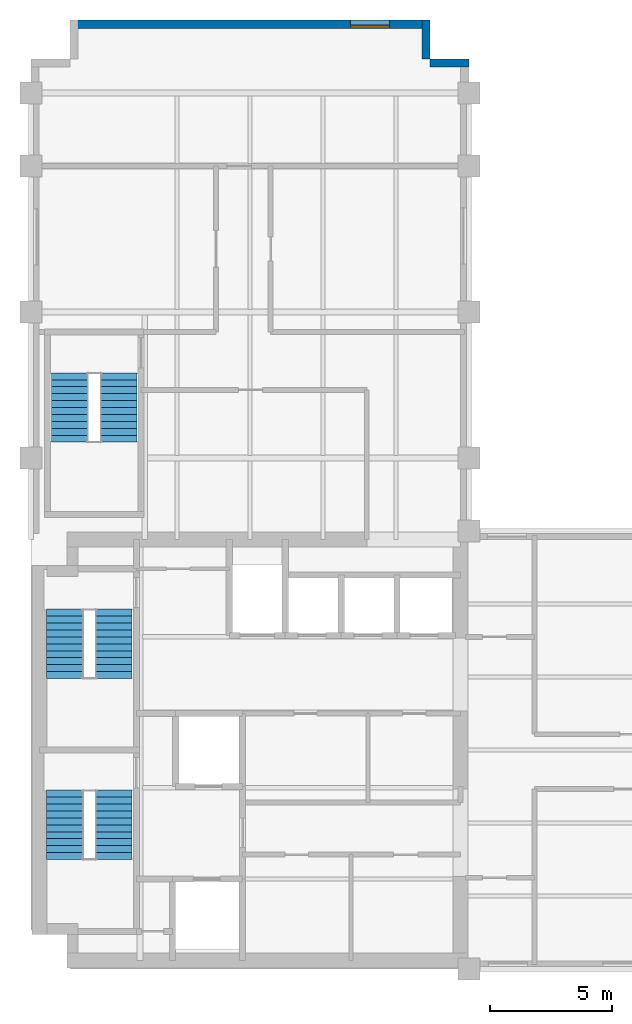
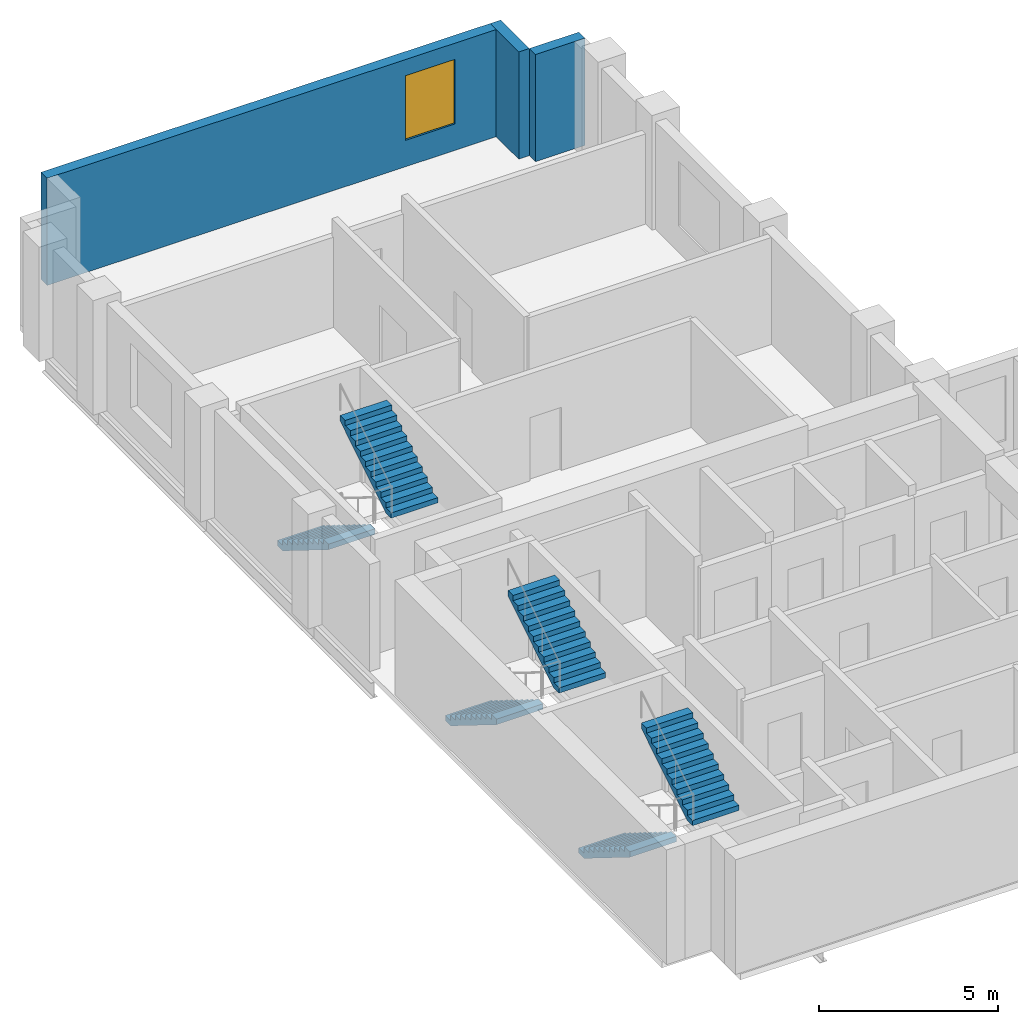
# One storey, part 5 of 6: 6 stair flights, 3 walls, 1 window, 1 opening, 3 elements without a shape of their own.
"""IFC4 building model written with IfcOpenShell, lengths in metres."""

from ifc_helpers import new_model, si_unit, direction, frame, frame_2d, origin, place, context, subcontext, project, spatial, polyline, rectangle, outline, extrude, material, layer, layer_set, type_object, element, fill, aggregate, save


model = new_model("IFC4")

# Units and contexts
model_context = context("Model", 3, precision=1e-05, world=origin(), true_north=direction((0.0, 1.0)))
body_context = subcontext(model_context, "Body", "Model", "MODEL_VIEW")
ifc_project = project(units=[si_unit("LENGTHUNIT", "METRE"), si_unit("AREAUNIT", "SQUARE_METRE"), si_unit("VOLUMEUNIT", "CUBIC_METRE"), si_unit("PLANEANGLEUNIT", "RADIAN"), si_unit("MASSUNIT", "GRAM", prefix="KILO")], contexts=[model_context])

# Site, building, storey
site_placement = place(None, origin())
site = spatial("IfcSite", under=ifc_project, at=site_placement, CompositionType="ELEMENT")
building_placement = place(site_placement, origin())
building = spatial("IfcBuilding", under=site, at=building_placement, Name="Mawjdan Bourse Tower", CompositionType="ELEMENT")
storey_placement = place(building_placement, frame((0.0, 0.0, 219.0)))
storey = spatial("IfcBuildingStorey", under=building, at=storey_placement, Name="L53", CompositionType="ELEMENT", Elevation=219.0)

# Walls
ifc_material_1 = material(Name="Brick Masonry Buff", Category="masonry")
ifc_layer = layer(ifc_material_1, 0.340087890625)
ifc_layer_set = layer_set([ifc_layer], Name="Brick Masonry Buff")
wall_type = type_object("IfcWallType", Name="WL-BRK-SPN-340", PredefinedType="STANDARD", material=ifc_layer_set)
for number, where, z_axis, x_axis, name in (
    (1, (24.0, 40.22998046875, 0.0), (0.0, 0.0, 1.0), (-1.0, 0.0, 0.0), "L53 Exterior Brick Wall 9"),
    (2, (22.22998046875, 40.39990234375, 0.0), (0.0, 0.0, 1.0), (0.0, 1.0, 0.0), "L53 Exterior Brick Wall 10"),
):
    element("IfcWall", number, at=place(storey_placement, frame(where, z_axis=z_axis, x_axis=x_axis)), inside=storey, type_object=wall_type, Name=name, PredefinedType="STANDARD", context=body_context, shape_type="SweptSolid", body=[
        extrude(rectangle(XDim=1.60009765625, YDim=0.340087890625, at=frame_2d((0.800048828125, 0.0))), origin(), (0.0, 0.0, 1.0), 3.64990234375),
    ])

# Wall, opening, window
wall_placement = place(storey_placement, frame((22.39990234375, 41.830078125, 0.0), z_axis=(0.0, 0.0, 1.0), x_axis=(-1.0, 0.0, 0.0)))
wall = element("IfcWall", 3, at=wall_placement, inside=storey, type_object=wall_type, Name="L53 Exterior Brick Wall 11", PredefinedType="STANDARD", context=body_context, shape_type="SweptSolid", body=[
    extrude(rectangle(XDim=14.7998046875, YDim=0.340087890625, at=frame_2d((7.39990234375, 0.0))), origin(), (0.0, 0.0, 1.0), 3.64990234375),
])
opening_placement = place(wall_placement, frame((1.666748046875, 0.0, 0.89990234375)))
opening = element("IfcOpeningElement", 4, at=opening_placement, cuts=wall, Name="Opening W-L53-08", PredefinedType="OPENING", context=body_context, shape_type="SweptSolid", body=[
    extrude(rectangle(XDim=1.60009765625, YDim=2.199951171875, at=frame_2d((0.800048828125, 1.10009765625))), frame((0.0, 0.18017578125, 0.0), z_axis=(0.0, -1.0, 0.0), x_axis=(1.0, 0.0, 0.0)), (0.0, 0.0, 1.0), 0.360107421875),
])
ifc_material_2 = material(Name="Solar-Control Clear Double Glazing", Category="glass")
window_type = type_object("IfcWindowType", Name="WN-Z3-1600", PartitioningType="SINGLE_PANEL", PredefinedType="WINDOW", material=ifc_material_2)
window_placement = place(opening_placement, origin())
window = element("IfcWindow", 5, at=window_placement, inside=storey, type_object=window_type, Name="L53 Deep-Set Masonry Window W-L53-08", OverallHeight=2.199951171875, OverallWidth=1.60009765625, PartitioningType="SINGLE_PANEL", PredefinedType="WINDOW", context=body_context, shape_type="SweptSolid", body=[
    extrude(rectangle(XDim=1.60009765625, YDim=2.199951171875, at=frame_2d((0.800048828125, 1.10009765625))), frame((0.0, 0.110107421875, 0.0), z_axis=(0.0, -1.0, 0.0), x_axis=(1.0, 0.0, 0.0)), (0.0, 0.0, 1.0), 0.06005859375),
])
fill(opening, window)

# Stair, stair flights
ifc_material_3 = material(Name="Concrete C50/60", Category="concrete")
stair_type = type_object("IfcStairType", Name="STR-CORE-1500", PredefinedType="HALF_TURN_STAIR", material=ifc_material_3)
stair_1_placement = place(storey_placement, origin())
stair_1 = element("IfcStair", 6, at=stair_1_placement, inside=storey, type_object=stair_type, Name="L53 Exit Stair 1 (Core South-West)", PredefinedType="HALF_TURN_STAIR")
stair_flight_type = type_object("IfcStairFlightType", Name="SFL-RC-1500", PredefinedType="STRAIGHT", material=ifc_material_3)
stair_flight_1_placement = place(storey_placement, frame((7.389892578125, 10.35009765625, 0.0), z_axis=(0.0, 0.0, 1.0), x_axis=(0.0, -1.0, 0.0)))
stair_flight_1 = element("IfcStairFlight", 7, at=stair_flight_1_placement, type_object=stair_flight_type, Name="ST1-L53 flight 1", NumberOfRisers=11, NumberOfTreads=10, PredefinedType="STRAIGHT", RiserHeight=0.177273, TreadLength=0.285, context=body_context, shape_type="SweptSolid", body=[
    extrude(outline(polyline([(0.0, 0.0), (0.0, 0.17724609375), (0.284912109375, 0.17724609375), (0.284912109375, 0.3544921875), (0.570068359375, 0.3544921875), (0.570068359375, 0.53173828125), (0.85498046875, 0.53173828125), (0.85498046875, 0.708984375), (1.139892578125, 0.708984375), (1.139892578125, 0.886474609375), (1.425048828125, 0.886474609375), (1.425048828125, 1.063720703125), (1.7099609375, 1.063720703125), (1.7099609375, 1.240966796875), (1.9951171875, 1.240966796875), (1.9951171875, 1.418212890625), (2.280029296875, 1.418212890625), (2.280029296875, 1.595458984375), (2.56494140625, 1.595458984375), (2.56494140625, 1.772705078125), (2.85009765625, 1.772705078125), (2.85009765625, 1.949951171875), (2.85009765625, 1.58447265625), (0.302734375, 0.0), (0.0, 0.0)])), frame((0.0, 0.75, 0.0), z_axis=(0.0, -1.0, 0.0), x_axis=(1.0, 0.0, 0.0)), (0.0, 0.0, 1.0), 1.5),
])
stair_flight_2_placement = place(storey_placement, frame((9.409912109375, 7.5, 1.949951171875), z_axis=(0.0, 0.0, 1.0), x_axis=(0.0, 1.0, 0.0)))
stair_flight_2 = element("IfcStairFlight", 8, at=stair_flight_2_placement, type_object=stair_flight_type, Name="ST1-L53 flight 2", NumberOfRisers=11, NumberOfTreads=10, PredefinedType="STRAIGHT", RiserHeight=0.177273, TreadLength=0.285, context=body_context, shape_type="SweptSolid", body=[
    extrude(outline(polyline([(0.0, 0.0), (0.0, 0.17724609375), (0.284912109375, 0.17724609375), (0.284912109375, 0.3544921875), (0.570068359375, 0.3544921875), (0.570068359375, 0.53173828125), (0.85498046875, 0.53173828125), (0.85498046875, 0.708984375), (1.139892578125, 0.708984375), (1.139892578125, 0.886474609375), (1.425048828125, 0.886474609375), (1.425048828125, 1.063720703125), (1.7099609375, 1.063720703125), (1.7099609375, 1.240966796875), (1.9951171875, 1.240966796875), (1.9951171875, 1.418212890625), (2.280029296875, 1.418212890625), (2.280029296875, 1.595458984375), (2.56494140625, 1.595458984375), (2.56494140625, 1.772705078125), (2.85009765625, 1.772705078125), (2.85009765625, 1.949951171875), (2.85009765625, 1.58447265625), (0.302734375, 0.0), (0.0, 0.0)])), frame((0.0, 0.75, 0.0), z_axis=(0.0, -1.0, 0.0), x_axis=(1.0, 0.0, 0.0)), (0.0, 0.0, 1.0), 1.5),
])
aggregate(stair_1, [stair_flight_1, stair_flight_2])

stair_2_placement = place(storey_placement, origin())
stair_2 = element("IfcStair", 9, at=stair_2_placement, inside=storey, type_object=stair_type, Name="L53 Exit Stair 2 (Core North-West)", PredefinedType="HALF_TURN_STAIR")
stair_flight_3_placement = place(storey_placement, frame((7.389892578125, 17.7900390625, 0.0), z_axis=(0.0, 0.0, 1.0), x_axis=(0.0, -1.0, 0.0)))
stair_flight_3 = element("IfcStairFlight", 10, at=stair_flight_3_placement, type_object=stair_flight_type, Name="ST2-L53 flight 1", NumberOfRisers=11, NumberOfTreads=10, PredefinedType="STRAIGHT", RiserHeight=0.177273, TreadLength=0.285, context=body_context, shape_type="SweptSolid", body=[
    extrude(outline(polyline([(0.0, 0.0), (0.0, 0.17724609375), (0.284912109375, 0.17724609375), (0.284912109375, 0.3544921875), (0.570068359375, 0.3544921875), (0.570068359375, 0.53173828125), (0.85498046875, 0.53173828125), (0.85498046875, 0.708984375), (1.139892578125, 0.708984375), (1.139892578125, 0.886474609375), (1.425048828125, 0.886474609375), (1.425048828125, 1.063720703125), (1.7099609375, 1.063720703125), (1.7099609375, 1.240966796875), (1.9951171875, 1.240966796875), (1.9951171875, 1.418212890625), (2.280029296875, 1.418212890625), (2.280029296875, 1.595458984375), (2.56494140625, 1.595458984375), (2.56494140625, 1.772705078125), (2.85009765625, 1.772705078125), (2.85009765625, 1.949951171875), (2.85009765625, 1.58447265625), (0.302734375, 0.0), (0.0, 0.0)])), frame((0.0, 0.75, 0.0), z_axis=(0.0, -1.0, 0.0), x_axis=(1.0, 0.0, 0.0)), (0.0, 0.0, 1.0), 1.5),
])
stair_flight_4_placement = place(storey_placement, frame((9.409912109375, 14.93994140625, 1.949951171875), z_axis=(0.0, 0.0, 1.0), x_axis=(0.0, 1.0, 0.0)))
stair_flight_4 = element("IfcStairFlight", 11, at=stair_flight_4_placement, type_object=stair_flight_type, Name="ST2-L53 flight 2", NumberOfRisers=11, NumberOfTreads=10, PredefinedType="STRAIGHT", RiserHeight=0.177273, TreadLength=0.285, context=body_context, shape_type="SweptSolid", body=[
    extrude(outline(polyline([(0.0, 0.0), (0.0, 0.17724609375), (0.284912109375, 0.17724609375), (0.284912109375, 0.3544921875), (0.570068359375, 0.3544921875), (0.570068359375, 0.53173828125), (0.85498046875, 0.53173828125), (0.85498046875, 0.708984375), (1.139892578125, 0.708984375), (1.139892578125, 0.886474609375), (1.425048828125, 0.886474609375), (1.425048828125, 1.063720703125), (1.7099609375, 1.063720703125), (1.7099609375, 1.240966796875), (1.9951171875, 1.240966796875), (1.9951171875, 1.418212890625), (2.280029296875, 1.418212890625), (2.280029296875, 1.595458984375), (2.56494140625, 1.595458984375), (2.56494140625, 1.772705078125), (2.85009765625, 1.772705078125), (2.85009765625, 1.949951171875), (2.85009765625, 1.58447265625), (0.302734375, 0.0), (0.0, 0.0)])), frame((0.0, 0.75, 0.0), z_axis=(0.0, -1.0, 0.0), x_axis=(1.0, 0.0, 0.0)), (0.0, 0.0, 1.0), 1.5),
])
aggregate(stair_2, [stair_flight_3, stair_flight_4])

stair_3_placement = place(storey_placement, origin())
stair_3 = element("IfcStair", 12, at=stair_3_placement, inside=storey, type_object=stair_type, Name="L53 Exit Stair 3 (North Wing)", PredefinedType="HALF_TURN_STAIR")
stair_flight_5_placement = place(storey_placement, frame((7.590087890625, 27.5, 0.0), z_axis=(0.0, 0.0, 1.0), x_axis=(0.0, -1.0, 0.0)))
stair_flight_5 = element("IfcStairFlight", 13, at=stair_flight_5_placement, type_object=stair_flight_type, Name="ST3-L53 flight 1", NumberOfRisers=11, NumberOfTreads=10, PredefinedType="STRAIGHT", RiserHeight=0.177273, TreadLength=0.285, context=body_context, shape_type="SweptSolid", body=[
    extrude(outline(polyline([(0.0, 0.0), (0.0, 0.17724609375), (0.284912109375, 0.17724609375), (0.284912109375, 0.3544921875), (0.570068359375, 0.3544921875), (0.570068359375, 0.53173828125), (0.85498046875, 0.53173828125), (0.85498046875, 0.708984375), (1.139892578125, 0.708984375), (1.139892578125, 0.886474609375), (1.425048828125, 0.886474609375), (1.425048828125, 1.063720703125), (1.7099609375, 1.063720703125), (1.7099609375, 1.240966796875), (1.9951171875, 1.240966796875), (1.9951171875, 1.418212890625), (2.280029296875, 1.418212890625), (2.280029296875, 1.595458984375), (2.56494140625, 1.595458984375), (2.56494140625, 1.772705078125), (2.85009765625, 1.772705078125), (2.85009765625, 1.949951171875), (2.85009765625, 1.58447265625), (0.302734375, 0.0), (0.0, 0.0)])), frame((0.0, 0.75, 0.0), z_axis=(0.0, -1.0, 0.0), x_axis=(1.0, 0.0, 0.0)), (0.0, 0.0, 1.0), 1.5),
])
stair_flight_6_placement = place(storey_placement, frame((9.610107421875, 24.64990234375, 1.949951171875), z_axis=(0.0, 0.0, 1.0), x_axis=(0.0, 1.0, 0.0)))
stair_flight_6 = element("IfcStairFlight", 14, at=stair_flight_6_placement, type_object=stair_flight_type, Name="ST3-L53 flight 2", NumberOfRisers=11, NumberOfTreads=10, PredefinedType="STRAIGHT", RiserHeight=0.177273, TreadLength=0.285, context=body_context, shape_type="SweptSolid", body=[
    extrude(outline(polyline([(0.0, 0.0), (0.0, 0.17724609375), (0.284912109375, 0.17724609375), (0.284912109375, 0.3544921875), (0.570068359375, 0.3544921875), (0.570068359375, 0.53173828125), (0.85498046875, 0.53173828125), (0.85498046875, 0.708984375), (1.139892578125, 0.708984375), (1.139892578125, 0.886474609375), (1.425048828125, 0.886474609375), (1.425048828125, 1.063720703125), (1.7099609375, 1.063720703125), (1.7099609375, 1.240966796875), (1.9951171875, 1.240966796875), (1.9951171875, 1.418212890625), (2.280029296875, 1.418212890625), (2.280029296875, 1.595458984375), (2.56494140625, 1.595458984375), (2.56494140625, 1.772705078125), (2.85009765625, 1.772705078125), (2.85009765625, 1.949951171875), (2.85009765625, 1.58447265625), (0.302734375, 0.0), (0.0, 0.0)])), frame((0.0, 0.75, 0.0), z_axis=(0.0, -1.0, 0.0), x_axis=(1.0, 0.0, 0.0)), (0.0, 0.0, 1.0), 1.5),
])
aggregate(stair_3, [stair_flight_5, stair_flight_6])

save(model, "model.ifc")
